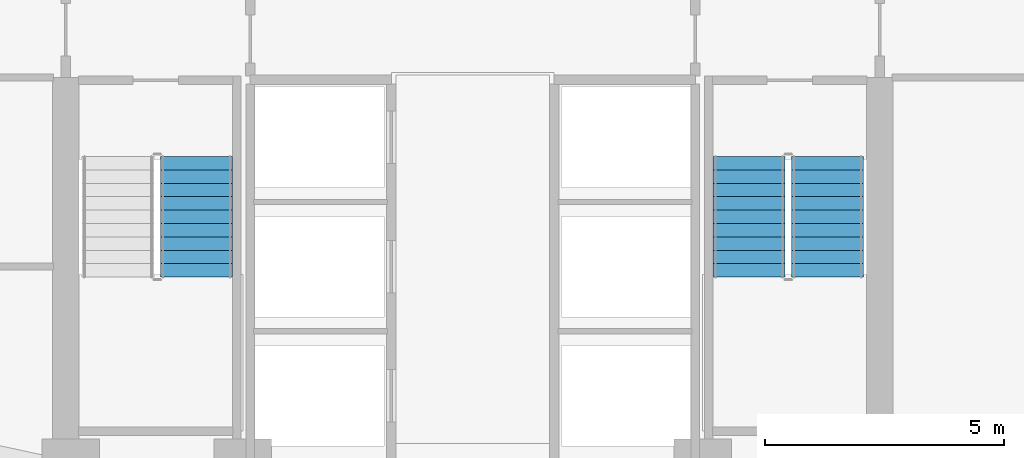
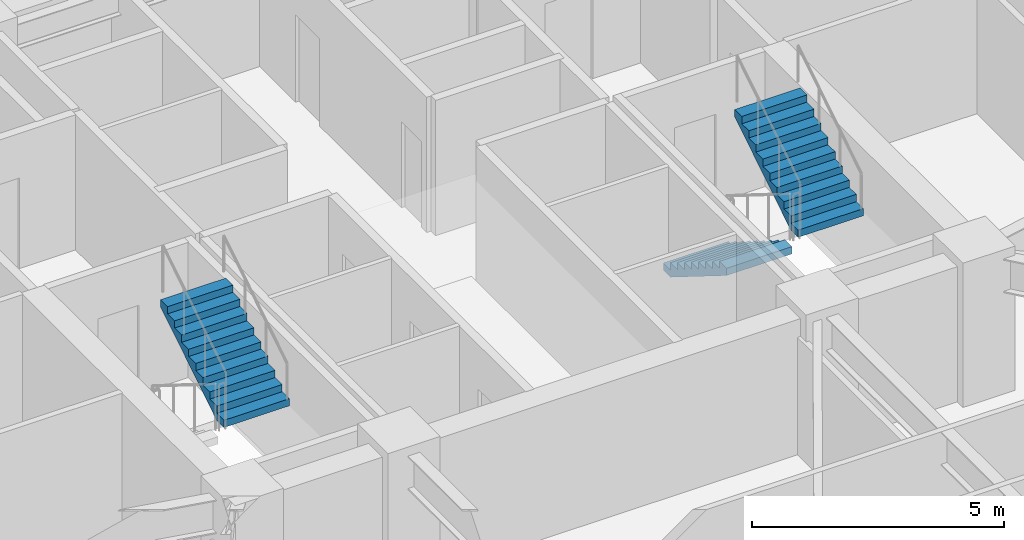
# One storey, part 6 of 11: 3 stair flights, 2 elements without a shape of their own.
"""IFC4 building model written with IfcOpenShell, lengths in metres."""

from ifc_helpers import new_model, si_unit, direction, frame, origin, place, context, subcontext, project, spatial, polyline, outline, extrude, material, type_object, element, aggregate, save


model = new_model("IFC4")

# Units and contexts
model_context = context("Model", 3, precision=1e-05, world=origin(), true_north=direction((0.0, 1.0)))
body_context = subcontext(model_context, "Body", "Model", "MODEL_VIEW")
ifc_project = project(units=[si_unit("LENGTHUNIT", "METRE"), si_unit("AREAUNIT", "SQUARE_METRE"), si_unit("VOLUMEUNIT", "CUBIC_METRE"), si_unit("PLANEANGLEUNIT", "RADIAN"), si_unit("MASSUNIT", "GRAM", prefix="KILO")], contexts=[model_context])

# Site, building, storey
site_placement = place(None, origin())
site = spatial("IfcSite", under=ifc_project, at=site_placement, CompositionType="ELEMENT")
building_placement = place(site_placement, origin())
building = spatial("IfcBuilding", under=site, at=building_placement, Name="Cairnveth Concourse Tower", CompositionType="ELEMENT")
storey_placement = place(building_placement, frame((0.0, 0.0, 48.0)))
storey = spatial("IfcBuildingStorey", under=building, at=storey_placement, Name="L12", CompositionType="ELEMENT", Elevation=48.0)

# Stair, stair flight
ifc_material = material(Name="Precast concrete N50 (50 MPa)", Category="concrete")
stair_type = type_object("IfcStairType", Name="CORE DOG-LEG FIRE STAIR 1500", PredefinedType="HALF_TURN_STAIR", material=ifc_material)
stair_1_placement = place(storey_placement, origin())
stair_1 = element("IfcStair", 1, at=stair_1_placement, inside=storey, type_object=stair_type, Name="L12 Fire-Isolated Stair ST-1", PredefinedType="HALF_TURN_STAIR")
stair_flight_type = type_object("IfcStairFlightType", Name="PRECAST CONCRETE STAIR FLIGHT 1500", PredefinedType="STRAIGHT", material=ifc_material)
stair_flight_1_placement = place(storey_placement, frame((46.22998046875, 34.580078125, 1.75), z_axis=(0.0, 0.0, 1.0), x_axis=(0.0, 1.0, 0.0)))
stair_flight_1 = element("IfcStairFlight", 2, at=stair_flight_1_placement, type_object=stair_flight_type, Name="ST-1 flight 2", NumberOfRisers=10, NumberOfTreads=9, PredefinedType="STRAIGHT", RiserHeight=0.175, TreadLength=0.28, context=body_context, shape_type="SweptSolid", body=[
    extrude(outline(polyline([(0.0, 0.0), (0.0, 0.175048828125), (0.280029296875, 0.175048828125), (0.280029296875, 0.35009765625), (0.56005859375, 0.35009765625), (0.56005859375, 0.52490234375), (0.840087890625, 0.52490234375), (0.840087890625, 0.699951171875), (1.1201171875, 0.699951171875), (1.1201171875, 0.875), (1.39990234375, 0.875), (1.39990234375, 1.050048828125), (1.679931640625, 1.050048828125), (1.679931640625, 1.22509765625), (1.9599609375, 1.22509765625), (1.9599609375, 1.39990234375), (2.239990234375, 1.39990234375), (2.239990234375, 1.574951171875), (2.52001953125, 1.574951171875), (2.52001953125, 1.75), (2.52001953125, 1.398193359375), (0.28271484375, 0.0), (0.0, 0.0)])), frame((0.0, 0.75, 0.0), z_axis=(0.0, -1.0, 0.0), x_axis=(1.0, 0.0, 0.0)), (0.0, 0.0, 1.0), 1.5),
])
aggregate(stair_1, [stair_flight_1])

# Stair, stair flights
stair_2_placement = place(storey_placement, origin())
stair_2 = element("IfcStair", 3, at=stair_2_placement, inside=storey, type_object=stair_type, Name="L12 Fire-Isolated Stair ST-2", PredefinedType="HALF_TURN_STAIR")
stair_flight_2_placement = place(storey_placement, frame((57.77001953125, 37.10009765625, 0.0), z_axis=(0.0, 0.0, 1.0), x_axis=(0.0, -1.0, 0.0)))
stair_flight_2 = element("IfcStairFlight", 4, at=stair_flight_2_placement, type_object=stair_flight_type, Name="ST-2 flight 1", NumberOfRisers=10, NumberOfTreads=9, PredefinedType="STRAIGHT", RiserHeight=0.175, TreadLength=0.28, context=body_context, shape_type="SweptSolid", body=[
    extrude(outline(polyline([(0.0, 0.0), (0.0, 0.175048828125), (0.280029296875, 0.175048828125), (0.280029296875, 0.35009765625), (0.56005859375, 0.35009765625), (0.56005859375, 0.52490234375), (0.840087890625, 0.52490234375), (0.840087890625, 0.699951171875), (1.1201171875, 0.699951171875), (1.1201171875, 0.875), (1.39990234375, 0.875), (1.39990234375, 1.050048828125), (1.679931640625, 1.050048828125), (1.679931640625, 1.22509765625), (1.9599609375, 1.22509765625), (1.9599609375, 1.39990234375), (2.239990234375, 1.39990234375), (2.239990234375, 1.574951171875), (2.52001953125, 1.574951171875), (2.52001953125, 1.75), (2.52001953125, 1.398193359375), (0.28271484375, 0.0), (0.0, 0.0)])), frame((0.0, 0.75, 0.0), z_axis=(0.0, -1.0, 0.0), x_axis=(1.0, 0.0, 0.0)), (0.0, 0.0, 1.0), 1.5),
])
stair_flight_3_placement = place(storey_placement, frame((59.409912109375, 34.580078125, 1.75), z_axis=(0.0, 0.0, 1.0), x_axis=(0.0, 1.0, 0.0)))
stair_flight_3 = element("IfcStairFlight", 5, at=stair_flight_3_placement, type_object=stair_flight_type, Name="ST-2 flight 2", NumberOfRisers=10, NumberOfTreads=9, PredefinedType="STRAIGHT", RiserHeight=0.175, TreadLength=0.28, context=body_context, shape_type="SweptSolid", body=[
    extrude(outline(polyline([(0.0, 0.0), (0.0, 0.175048828125), (0.280029296875, 0.175048828125), (0.280029296875, 0.35009765625), (0.56005859375, 0.35009765625), (0.56005859375, 0.52490234375), (0.840087890625, 0.52490234375), (0.840087890625, 0.699951171875), (1.1201171875, 0.699951171875), (1.1201171875, 0.875), (1.39990234375, 0.875), (1.39990234375, 1.050048828125), (1.679931640625, 1.050048828125), (1.679931640625, 1.22509765625), (1.9599609375, 1.22509765625), (1.9599609375, 1.39990234375), (2.239990234375, 1.39990234375), (2.239990234375, 1.574951171875), (2.52001953125, 1.574951171875), (2.52001953125, 1.75), (2.52001953125, 1.398193359375), (0.28271484375, 0.0), (0.0, 0.0)])), frame((0.0, 0.75, 0.0), z_axis=(0.0, -1.0, 0.0), x_axis=(1.0, 0.0, 0.0)), (0.0, 0.0, 1.0), 1.5),
])
aggregate(stair_2, [stair_flight_2, stair_flight_3])

save(model, "model.ifc")
